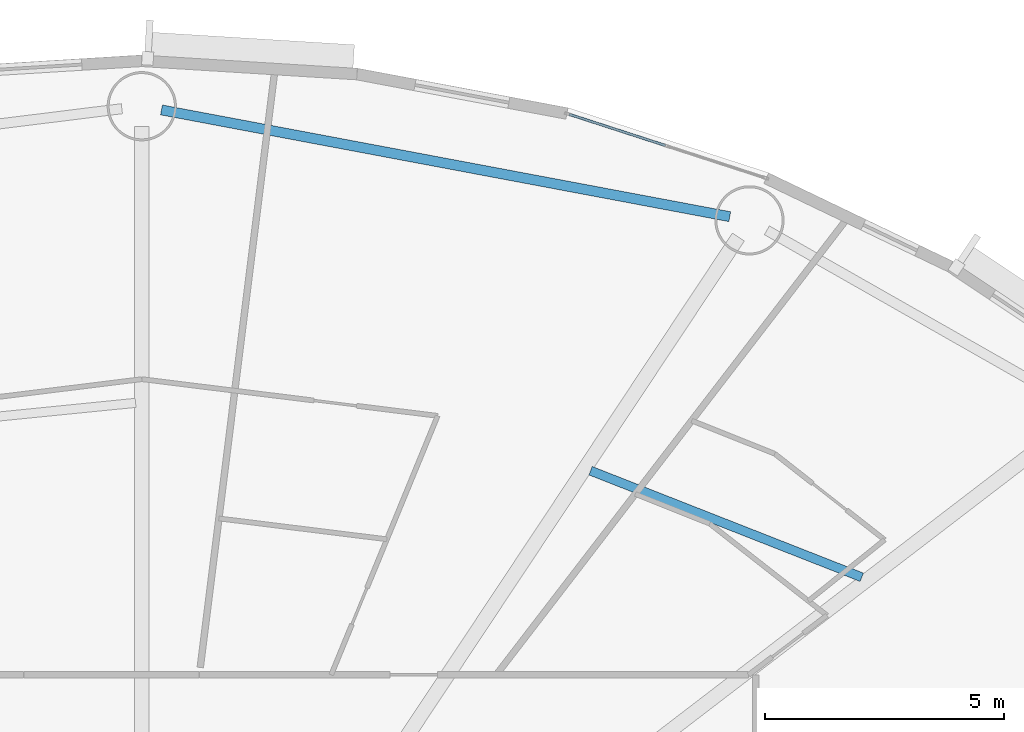
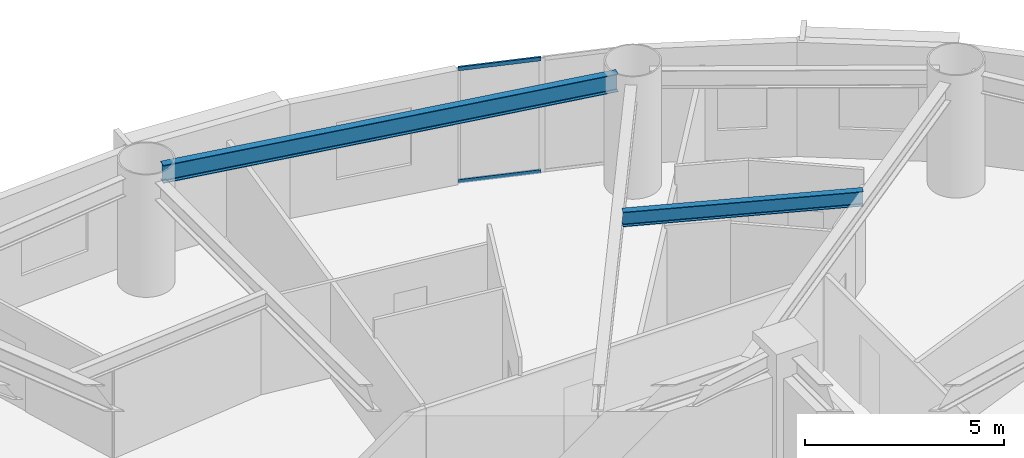
# One storey, part 4 of 18: 2 beams, 2 members, 1 element without a shape of its own.
"""IFC4 building model written with IfcOpenShell, lengths in metres."""

import ifcopenshell
import ifcopenshell.guid

model = None  # the IFC model being written
_history = None  # IfcOwnerHistory: only IFC2X3 demands one
_inside = {}  # id of a spatial element -> (the spatial element, [elements in it])
_under = {}  # id of a project, library or spatial element -> (it, [spatial elements below it])
_declared = {}  # id of a project -> (the project, [libraries it declares])
_typed = {}  # id of a type object -> (the type object, [elements of that type])
_made_of = {}  # id of a material, layer set ... -> (it, [elements and type objects made of it])


def new_model(schema):
    """Start an empty IFC model of exactly this schema.

    Asked for "IFC4X3", IfcOpenShell would pick the latest addendum, in which some entities
    have other attributes; the version numbers below select the first issue.
    IFC2X3 requires an IfcOwnerHistory on every rooted entity: one is made here for all.
    """
    global model, _history
    if schema == "IFC4X3":
        model = ifcopenshell.file(schema_version=(4, 3, 0, 0))
    else:
        model = ifcopenshell.file(schema=schema)
    _inside.clear()
    _under.clear()
    _declared.clear()
    _typed.clear()
    _made_of.clear()
    _history = None
    if model.schema == "IFC2X3":
        org = make("IfcOrganization", Name="unknown")
        user = make(
            "IfcPersonAndOrganization",
            ThePerson=make("IfcPerson", FamilyName="unknown"),
            TheOrganization=org,
        )
        app = make(
            "IfcApplication",
            ApplicationDeveloper=org,
            Version="unknown",
            ApplicationFullName="unknown",
            ApplicationIdentifier="unknown",
        )
        _history = make(
            "IfcOwnerHistory",
            OwningUser=user,
            OwningApplication=app,
            ChangeAction="ADDED",
            CreationDate=0,
        )
    return model


def make(cls, **values):
    """One entity of the class cls with the attributes given. An attribute that is None is left unset."""
    return model.create_entity(
        cls, **{name: value for name, value in values.items() if value is not None}
    )


def rooted(cls, **values):
    """An entity with a GlobalId (a new one), such as an element, a storey or a relation."""
    return make(cls, GlobalId=ifcopenshell.guid.new(), OwnerHistory=_history, **values)


def si_unit(unit_type, name, prefix=None):
    """IfcSIUnit, for example si_unit("LENGTHUNIT", "METRE", prefix="MILLI")."""
    return make("IfcSIUnit", UnitType=unit_type, Prefix=prefix, Name=name)


def assignment(units):
    """IfcUnitAssignment: the units of a project."""
    return None if units is None else make("IfcUnitAssignment", Units=units)


def point(xyz):
    """IfcCartesianPoint."""
    return None if xyz is None else make("IfcCartesianPoint", Coordinates=xyz)


def direction(xyz):
    """IfcDirection."""
    return None if xyz is None else make("IfcDirection", DirectionRatios=xyz)


def frame(location, z_axis=None, x_axis=None):
    """IfcAxis2Placement3D, a coordinate frame: its origin and axes. An axis left out is left unset."""
    return make(
        "IfcAxis2Placement3D",
        Location=point(location),
        Axis=direction(z_axis),
        RefDirection=direction(x_axis),
    )


def frame_2d(location, x_axis=None):
    """IfcAxis2Placement2D, a coordinate frame in the plane: its origin and x axis."""
    return make(
        "IfcAxis2Placement2D", Location=point(location), RefDirection=direction(x_axis)
    )


def origin():
    """The frame at (0, 0, 0) with its axes left unset."""
    return frame((0.0, 0.0, 0.0))


def origin_2d():
    """The frame at (0, 0) in the plane with its x axis left unset."""
    return frame_2d((0.0, 0.0))


def place(relative_to, where):
    """IfcLocalPlacement: puts the frame where relative to a parent placement (None: the world)."""
    return make(
        "IfcLocalPlacement", PlacementRelTo=relative_to, RelativePlacement=where
    )


def context(
    kind, dimensions, precision=None, world=None, true_north=None, identifier=None
):
    """IfcGeometricRepresentationContext, for example the 3D "Model" context."""
    return make(
        "IfcGeometricRepresentationContext",
        ContextIdentifier=identifier,
        ContextType=kind,
        CoordinateSpaceDimension=dimensions,
        Precision=precision,
        WorldCoordinateSystem=world,
        TrueNorth=true_north,
    )


def subcontext(parent, identifier, kind, view, scale=None):
    """IfcGeometricRepresentationSubContext, for example "Body" below "Model"."""
    return make(
        "IfcGeometricRepresentationSubContext",
        ContextIdentifier=identifier,
        ContextType=kind,
        ParentContext=parent,
        TargetScale=scale,
        TargetView=view,
    )


def project(units=None, contexts=None):
    """IfcProject with its units and contexts."""
    return rooted(
        "IfcProject",
        Name="project",
        RepresentationContexts=contexts,
        UnitsInContext=assignment(units),
    )


def spatial(cls, under=None, at=None, **own):
    """A site, building, storey or space (cls), placed at a placement, below another one or the project."""
    s = rooted(cls, ObjectPlacement=at, **own)
    if under is not None:
        _under.setdefault(under.id(), (under, []))[1].append(s)
    return s


def profile(cls, at=None, kind="AREA", **sizes):
    """A parametric profile (cls). Its sizes go by their IFC names, for example OverallWidth=200.0."""
    return make(cls, ProfileType=kind, Position=at, **sizes)


def hollow_rectangle(**sizes):
    """IfcRectangleHollowProfileDef."""
    return profile("IfcRectangleHollowProfileDef", **sizes)


def i_section(**sizes):
    """IfcIShapeProfileDef."""
    return profile("IfcIShapeProfileDef", **sizes)


def extrude(swept, where, along, depth):
    """IfcExtrudedAreaSolid: the profile swept, set in the frame where, extruded along a direction by depth."""
    return make(
        "IfcExtrudedAreaSolid",
        SweptArea=swept,
        Position=where,
        ExtrudedDirection=direction(along),
        Depth=depth,
    )


def shape(context_of_items, identifier, shape_type, items):
    """IfcShapeRepresentation: the items that make up one representation, for example the "Body"."""
    return make(
        "IfcShapeRepresentation",
        ContextOfItems=context_of_items,
        RepresentationIdentifier=identifier,
        RepresentationType=shape_type,
        Items=items,
    )


def source(mapping_origin, context_of_items, identifier, shape_type, items):
    """IfcRepresentationMap: a shape defined once, which mapped items show again and again."""
    return make(
        "IfcRepresentationMap",
        MappingOrigin=mapping_origin,
        MappedRepresentation=shape(context_of_items, identifier, shape_type, items),
    )


def transform(
    local_origin,
    x_axis=None,
    y_axis=None,
    z_axis=None,
    scale=None,
    scale2=None,
    scale3=None,
    uniform=True,
):
    """IfcCartesianTransformationOperator3D, or its non-uniform kind. x_axis, y_axis, z_axis: its Axis1, 2, 3."""
    if uniform:
        return make(
            "IfcCartesianTransformationOperator3D",
            Axis1=direction(x_axis),
            Axis2=direction(y_axis),
            LocalOrigin=point(local_origin),
            Scale=scale,
            Axis3=direction(z_axis),
        )
    return make(
        "IfcCartesianTransformationOperator3DnonUniform",
        Axis1=direction(x_axis),
        Axis2=direction(y_axis),
        LocalOrigin=point(local_origin),
        Scale=scale,
        Axis3=direction(z_axis),
        Scale2=scale2,
        Scale3=scale3,
    )


def mapped(mapping_source, mapping_target):
    """IfcMappedItem: shows the shape of a source again, moved by a transform."""
    return make(
        "IfcMappedItem", MappingSource=mapping_source, MappingTarget=mapping_target
    )


def material(Name=None, Category=None):
    """IfcMaterial."""
    return make("IfcMaterial", Name=Name, Category=Category)


def layer(
    of_material, thickness, ventilated=None, Name=None, Category=None, Priority=None
):
    """IfcMaterialLayer: one layer of a wall or slab, of a material (None: an air gap)."""
    return make(
        "IfcMaterialLayer",
        Material=of_material,
        LayerThickness=thickness,
        IsVentilated=ventilated,
        Name=Name,
        Category=Category,
        Priority=Priority,
    )


def layer_set(layers, Name=None):
    """IfcMaterialLayerSet."""
    return make("IfcMaterialLayerSet", MaterialLayers=layers, LayerSetName=Name)


def material_profile(
    of_material, cross_section, Name=None, Category=None, Priority=None
):
    """IfcMaterialProfile: a cross section and its material."""
    return make(
        "IfcMaterialProfile",
        Name=Name,
        Material=of_material,
        Profile=cross_section,
        Priority=Priority,
        Category=Category,
    )


def profile_set(profiles, Name=None, composite=None):
    """IfcMaterialProfileSet."""
    return make(
        "IfcMaterialProfileSet",
        Name=Name,
        MaterialProfiles=profiles,
        CompositeProfile=composite,
    )


def made_of(thing, what):
    """Note that an element or type object is made of a material, layer set ...; save() writes the relation."""
    if what is not None:
        _made_of.setdefault(what.id(), (what, []))[1].append(thing)
    return thing


def type_object(cls, material=None, **own):
    """A type object (cls), such as IfcWallType, which elements share."""
    return made_of(rooted(cls, **own), material)


def element(
    cls,
    number,
    at=None,
    inside=None,
    cuts=None,
    type_object=None,
    material=None,
    context=None,
    identifier="Body",
    shape_type=None,
    held_by="IfcProductDefinitionShape",
    body=None,
    shapes=None,
    **own,
):
    """One element of the class cls, such as IfcWall. Its Tag is "e" and its number.

    at: its placement. inside: the storey or other place that contains it. cuts: it is an
    opening in that element (IfcRelVoidsElement). A single representation is given by context,
    identifier, shape_type and body (its items); several are given by shapes. held_by: the class
    of the entity that holds the representations. save() writes the other relations.
    """
    e = rooted(cls, Tag="e%d" % number, ObjectPlacement=at, **own)
    if body is not None:
        shapes = [shape(context, identifier, shape_type, body)]
    if shapes is not None:
        e.Representation = make(held_by, Representations=shapes)
    if inside is not None:
        _inside.setdefault(inside.id(), (inside, []))[1].append(e)
    if cuts is not None:
        rooted(
            "IfcRelVoidsElement", RelatingBuildingElement=cuts, RelatedOpeningElement=e
        )
    if type_object is not None:
        _typed.setdefault(type_object.id(), (type_object, []))[1].append(e)
    return made_of(e, material)


def aggregate(whole, parts):
    """IfcRelAggregates: a whole, such as a stair, and the parts it consists of."""
    return rooted("IfcRelAggregates", RelatingObject=whole, RelatedObjects=parts)


def save(model, path):
    """Write the relations noted so far, then the file.

    IfcRelAggregates (storeys below a building ...), IfcRelContainedInSpatialStructure (elements
    in a storey), IfcRelDefinesByType, IfcRelAssociatesMaterial and IfcRelDeclares: one each for
    every whole, place, type object, material and project.
    """
    for whole, parts in _under.values():
        aggregate(whole, parts)
    for where, things in _inside.values():
        rooted(
            "IfcRelContainedInSpatialStructure",
            RelatedElements=things,
            RelatingStructure=where,
        )
    for kind, things in _typed.values():
        rooted("IfcRelDefinesByType", RelatedObjects=things, RelatingType=kind)
    for what, things in _made_of.values():
        rooted("IfcRelAssociatesMaterial", RelatedObjects=things, RelatingMaterial=what)
    for by, libraries in _declared.values():
        rooted("IfcRelDeclares", RelatingContext=by, RelatedDefinitions=libraries)
    model.write(path)


model = new_model("IFC4")

# Units and contexts
model_context = context("Model", 3, precision=1e-05, world=origin(), true_north=direction((0.0, 1.0)))
body_context = subcontext(model_context, "Body", "Model", "MODEL_VIEW")
ifc_project = project(units=[si_unit("LENGTHUNIT", "METRE"), si_unit("AREAUNIT", "SQUARE_METRE"), si_unit("VOLUMEUNIT", "CUBIC_METRE"), si_unit("PLANEANGLEUNIT", "RADIAN"), si_unit("MASSUNIT", "GRAM", prefix="KILO")], contexts=[model_context])

# Site, building, storey
site_placement = place(None, origin())
site = spatial("IfcSite", under=ifc_project, at=site_placement, CompositionType="ELEMENT")
building_placement = place(site_placement, origin())
building = spatial("IfcBuilding", under=site, at=building_placement, Name="Linh Dai School and Residence Tower", CompositionType="ELEMENT")
storey_placement = place(building_placement, frame((0.0, 0.0, 100.949951171875)))
storey = spatial("IfcBuildingStorey", under=building, at=storey_placement, Name="L23", CompositionType="ELEMENT", Elevation=100.949951171875)

# Beams
ifc_material_1 = material(Name="Structural Steel S355JR", Category="steel")
ifc_material_profile_1 = material_profile(ifc_material_1, i_section(OverallWidth=0.2099609375, OverallDepth=0.550048828125, WebThickness=0.010986328125, FlangeThickness=0.01708984375, FilletRadius=0.02392578125, at=origin_2d()), Name="IPE 550")
ifc_profile_set_1 = profile_set([ifc_material_profile_1], Name="Structural Steel S355JR")
beam_type_1 = type_object("IfcBeamType", Name="BM-RB55", PredefinedType="BEAM", material=ifc_profile_set_1)
beam_1_placement = place(storey_placement, frame((48.30908203125, 46.24267578125, 3.22509765625), z_axis=(-0.982807507457, 0.184633158685, 0.0), x_axis=(-0.184633158685, -0.982807507457, 0.0)))
element("IfcBeam", 1, at=beam_1_placement, inside=storey, type_object=beam_type_1, Name="L23 Perimeter Elliptical Ring Beam 04", PredefinedType="BEAM", context=body_context, shape_type="SweptSolid", body=[
    extrude(i_section(OverallWidth=0.2099609375, OverallDepth=0.550048828125, WebThickness=0.010986328125, FlangeThickness=0.01708984375, FilletRadius=0.02392578125, at=origin_2d()), origin(), (0.0, 0.0, 1.0), 12.104248046875),
])
ifc_material_profile_2 = material_profile(ifc_material_1, i_section(OverallWidth=0.18994140625, OverallDepth=0.449951171875, WebThickness=0.009521484375, FlangeThickness=0.0146484375, FilletRadius=0.02099609375, at=origin_2d()), Name="IPE 450")
ifc_profile_set_2 = profile_set([ifc_material_profile_2], Name="Structural Steel S355JR")
beam_type_2 = type_object("IfcBeamType", Name="BM-SB45", PredefinedType="BEAM", material=ifc_profile_set_2)
beam_2_placement = place(storey_placement, frame((51.0732421875, 38.693603515625, 3.275146484375), z_axis=(-0.930755385045, 0.365642466365, 0.0), x_axis=(-0.365642466365, -0.930755385045, 0.0)))
element("IfcBeam", 2, at=beam_2_placement, inside=storey, type_object=beam_type_2, Name="L23 Secondary Circumferential Floor Beam 02", PredefinedType="BEAM", context=body_context, shape_type="SweptSolid", body=[
    extrude(i_section(OverallWidth=0.18994140625, OverallDepth=0.449951171875, WebThickness=0.009521484375, FlangeThickness=0.0146484375, FilletRadius=0.02099609375, at=origin_2d()), origin(), (0.0, 0.0, 1.0), 6.10009765625),
])

# Curtain wall, members
ifc_material_2 = material(Name="Aluminium Anodised Curtain Wall", Category="aluminium")
ifc_layer = layer(ifc_material_2, 0.14990234375)
ifc_layer_set = layer_set([ifc_layer], Name="Aluminium Anodised Curtain Wall")
curtain_wall_type = type_object("IfcCurtainWallType", Name="CW-SYS-4", PredefinedType="USERDEFINED", material=ifc_layer_set)
curtain_wall_placement = place(storey_placement, origin())
curtain_wall = element("IfcCurtainWall", 3, at=curtain_wall_placement, inside=storey, type_object=curtain_wall_type, Name="L23 CW4 Curtain Wall 08", ObjectType="RIBBON CURTAIN WALL", PredefinedType="USERDEFINED")
ifc_material_3 = material(Name="Aluminium Alloy 6063-T6", Category="aluminium")
ifc_material_profile_3 = material_profile(ifc_material_3, hollow_rectangle(XDim=0.052001953125, YDim=0.114990234375, WallThickness=0.00390625, at=origin_2d()), Name="RHS 115x52x4")
ifc_profile_set_3 = profile_set([ifc_material_profile_3], Name="Aluminium Alloy 6063-T6")
member_type = type_object("IfcMemberType", Name="CW-SYS-4-TRN", PredefinedType="USERDEFINED", material=ifc_profile_set_3)
shared_shape = source(origin(), body_context, "Body", "SweptSolid", [
    extrude(hollow_rectangle(XDim=0.052001953125, YDim=0.114990234375, WallThickness=0.00390625, at=origin_2d()), origin(), (0.0, 0.0, 1.0), 2.1162109375),
])
member_1_placement = place(storey_placement, frame((44.94921875, 48.38525390625, 0.026123046875), z_axis=(0.95122464899, -0.308499055355, 0.0), x_axis=(0.308499055355, 0.95122464899, 0.0)))
member_1 = element("IfcMember", 4, at=member_1_placement, type_object=member_type, Name="CW4 transom 1.1", ObjectType="TRANSOM", PredefinedType="USERDEFINED", context=body_context, shape_type="MappedRepresentation", body=[
    mapped(shared_shape, transform((0.0, 0.0, 0.0), x_axis=(1.0, 0.0, 0.0), y_axis=(0.0, 1.0, 0.0), z_axis=(0.0, 0.0, 1.0), scale=1.0)),
])
member_2_placement = place(storey_placement, frame((44.94921875, 48.38525390625, 3.47412109375), z_axis=(0.95122464899, -0.308499055355, 0.0), x_axis=(0.308499055355, 0.95122464899, 0.0)))
member_2 = element("IfcMember", 5, at=member_2_placement, type_object=member_type, Name="CW4 transom 1.2", ObjectType="TRANSOM", PredefinedType="USERDEFINED", context=body_context, shape_type="MappedRepresentation", body=[
    mapped(shared_shape, transform((0.0, 0.0, 0.0), x_axis=(1.0, 0.0, 0.0), y_axis=(0.0, 1.0, 0.0), z_axis=(0.0, 0.0, 1.0), scale=1.0)),
])
aggregate(curtain_wall, [member_1, member_2])

save(model, "model.ifc")
